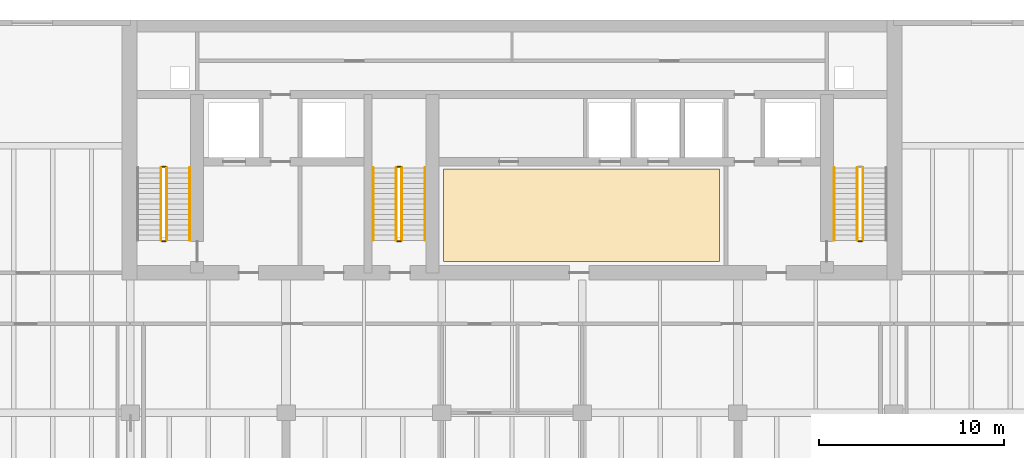
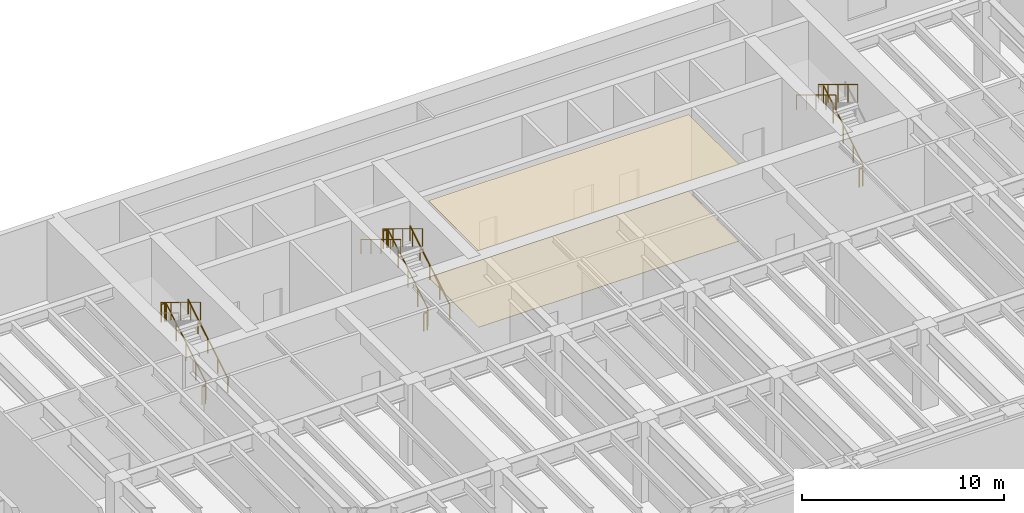
# One storey, part 17 of 18: 15 railings, 2 coverings.
"""IFC4 building model written with IfcOpenShell, lengths in metres."""

import ifcopenshell
import ifcopenshell.guid

model = None  # the IFC model being written
_history = None  # IfcOwnerHistory: only IFC2X3 demands one
_inside = {}  # id of a spatial element -> (the spatial element, [elements in it])
_under = {}  # id of a project, library or spatial element -> (it, [spatial elements below it])
_declared = {}  # id of a project -> (the project, [libraries it declares])
_typed = {}  # id of a type object -> (the type object, [elements of that type])
_made_of = {}  # id of a material, layer set ... -> (it, [elements and type objects made of it])


def new_model(schema):
    """Start an empty IFC model of exactly this schema.

    Asked for "IFC4X3", IfcOpenShell would pick the latest addendum, in which some entities
    have other attributes; the version numbers below select the first issue.
    IFC2X3 requires an IfcOwnerHistory on every rooted entity: one is made here for all.
    """
    global model, _history
    if schema == "IFC4X3":
        model = ifcopenshell.file(schema_version=(4, 3, 0, 0))
    else:
        model = ifcopenshell.file(schema=schema)
    _inside.clear()
    _under.clear()
    _declared.clear()
    _typed.clear()
    _made_of.clear()
    _history = None
    if model.schema == "IFC2X3":
        org = make("IfcOrganization", Name="unknown")
        user = make(
            "IfcPersonAndOrganization",
            ThePerson=make("IfcPerson", FamilyName="unknown"),
            TheOrganization=org,
        )
        app = make(
            "IfcApplication",
            ApplicationDeveloper=org,
            Version="unknown",
            ApplicationFullName="unknown",
            ApplicationIdentifier="unknown",
        )
        _history = make(
            "IfcOwnerHistory",
            OwningUser=user,
            OwningApplication=app,
            ChangeAction="ADDED",
            CreationDate=0,
        )
    return model


def make(cls, **values):
    """One entity of the class cls with the attributes given. An attribute that is None is left unset."""
    return model.create_entity(
        cls, **{name: value for name, value in values.items() if value is not None}
    )


def rooted(cls, **values):
    """An entity with a GlobalId (a new one), such as an element, a storey or a relation."""
    return make(cls, GlobalId=ifcopenshell.guid.new(), OwnerHistory=_history, **values)


def si_unit(unit_type, name, prefix=None):
    """IfcSIUnit, for example si_unit("LENGTHUNIT", "METRE", prefix="MILLI")."""
    return make("IfcSIUnit", UnitType=unit_type, Prefix=prefix, Name=name)


def assignment(units):
    """IfcUnitAssignment: the units of a project."""
    return None if units is None else make("IfcUnitAssignment", Units=units)


def point(xyz):
    """IfcCartesianPoint."""
    return None if xyz is None else make("IfcCartesianPoint", Coordinates=xyz)


def direction(xyz):
    """IfcDirection."""
    return None if xyz is None else make("IfcDirection", DirectionRatios=xyz)


def frame(location, z_axis=None, x_axis=None):
    """IfcAxis2Placement3D, a coordinate frame: its origin and axes. An axis left out is left unset."""
    return make(
        "IfcAxis2Placement3D",
        Location=point(location),
        Axis=direction(z_axis),
        RefDirection=direction(x_axis),
    )


def frame_2d(location, x_axis=None):
    """IfcAxis2Placement2D, a coordinate frame in the plane: its origin and x axis."""
    return make(
        "IfcAxis2Placement2D", Location=point(location), RefDirection=direction(x_axis)
    )


def origin():
    """The frame at (0, 0, 0) with its axes left unset."""
    return frame((0.0, 0.0, 0.0))


def origin_2d():
    """The frame at (0, 0) in the plane with its x axis left unset."""
    return frame_2d((0.0, 0.0))


def place(relative_to, where):
    """IfcLocalPlacement: puts the frame where relative to a parent placement (None: the world)."""
    return make(
        "IfcLocalPlacement", PlacementRelTo=relative_to, RelativePlacement=where
    )


def context(
    kind, dimensions, precision=None, world=None, true_north=None, identifier=None
):
    """IfcGeometricRepresentationContext, for example the 3D "Model" context."""
    return make(
        "IfcGeometricRepresentationContext",
        ContextIdentifier=identifier,
        ContextType=kind,
        CoordinateSpaceDimension=dimensions,
        Precision=precision,
        WorldCoordinateSystem=world,
        TrueNorth=true_north,
    )


def subcontext(parent, identifier, kind, view, scale=None):
    """IfcGeometricRepresentationSubContext, for example "Body" below "Model"."""
    return make(
        "IfcGeometricRepresentationSubContext",
        ContextIdentifier=identifier,
        ContextType=kind,
        ParentContext=parent,
        TargetScale=scale,
        TargetView=view,
    )


def project(units=None, contexts=None):
    """IfcProject with its units and contexts."""
    return rooted(
        "IfcProject",
        Name="project",
        RepresentationContexts=contexts,
        UnitsInContext=assignment(units),
    )


def spatial(cls, under=None, at=None, **own):
    """A site, building, storey or space (cls), placed at a placement, below another one or the project."""
    s = rooted(cls, ObjectPlacement=at, **own)
    if under is not None:
        _under.setdefault(under.id(), (under, []))[1].append(s)
    return s


def polyline(points):
    """IfcPolyline through the points."""
    return make("IfcPolyline", Points=[point(p) for p in points])


def profile(cls, at=None, kind="AREA", **sizes):
    """A parametric profile (cls). Its sizes go by their IFC names, for example OverallWidth=200.0."""
    return make(cls, ProfileType=kind, Position=at, **sizes)


def circle(**sizes):
    """IfcCircleProfileDef."""
    return profile("IfcCircleProfileDef", **sizes)


def outline(outer, holes=None, kind="AREA"):
    """IfcArbitraryClosedProfileDef: a profile drawn as a closed curve; with holes, ...WithVoids."""
    if holes is None:
        return make("IfcArbitraryClosedProfileDef", ProfileType=kind, OuterCurve=outer)
    return make(
        "IfcArbitraryProfileDefWithVoids",
        ProfileType=kind,
        OuterCurve=outer,
        InnerCurves=holes,
    )


def extrude(swept, where, along, depth):
    """IfcExtrudedAreaSolid: the profile swept, set in the frame where, extruded along a direction by depth."""
    return make(
        "IfcExtrudedAreaSolid",
        SweptArea=swept,
        Position=where,
        ExtrudedDirection=direction(along),
        Depth=depth,
    )


def shape(context_of_items, identifier, shape_type, items):
    """IfcShapeRepresentation: the items that make up one representation, for example the "Body"."""
    return make(
        "IfcShapeRepresentation",
        ContextOfItems=context_of_items,
        RepresentationIdentifier=identifier,
        RepresentationType=shape_type,
        Items=items,
    )


def material(Name=None, Category=None):
    """IfcMaterial."""
    return make("IfcMaterial", Name=Name, Category=Category)


def layer(
    of_material, thickness, ventilated=None, Name=None, Category=None, Priority=None
):
    """IfcMaterialLayer: one layer of a wall or slab, of a material (None: an air gap)."""
    return make(
        "IfcMaterialLayer",
        Material=of_material,
        LayerThickness=thickness,
        IsVentilated=ventilated,
        Name=Name,
        Category=Category,
        Priority=Priority,
    )


def layer_set(layers, Name=None):
    """IfcMaterialLayerSet."""
    return make("IfcMaterialLayerSet", MaterialLayers=layers, LayerSetName=Name)


def made_of(thing, what):
    """Note that an element or type object is made of a material, layer set ...; save() writes the relation."""
    if what is not None:
        _made_of.setdefault(what.id(), (what, []))[1].append(thing)
    return thing


def type_object(cls, material=None, **own):
    """A type object (cls), such as IfcWallType, which elements share."""
    return made_of(rooted(cls, **own), material)


def element(
    cls,
    number,
    at=None,
    inside=None,
    cuts=None,
    type_object=None,
    material=None,
    context=None,
    identifier="Body",
    shape_type=None,
    held_by="IfcProductDefinitionShape",
    body=None,
    shapes=None,
    **own,
):
    """One element of the class cls, such as IfcWall. Its Tag is "e" and its number.

    at: its placement. inside: the storey or other place that contains it. cuts: it is an
    opening in that element (IfcRelVoidsElement). A single representation is given by context,
    identifier, shape_type and body (its items); several are given by shapes. held_by: the class
    of the entity that holds the representations. save() writes the other relations.
    """
    e = rooted(cls, Tag="e%d" % number, ObjectPlacement=at, **own)
    if body is not None:
        shapes = [shape(context, identifier, shape_type, body)]
    if shapes is not None:
        e.Representation = make(held_by, Representations=shapes)
    if inside is not None:
        _inside.setdefault(inside.id(), (inside, []))[1].append(e)
    if cuts is not None:
        rooted(
            "IfcRelVoidsElement", RelatingBuildingElement=cuts, RelatedOpeningElement=e
        )
    if type_object is not None:
        _typed.setdefault(type_object.id(), (type_object, []))[1].append(e)
    return made_of(e, material)


def aggregate(whole, parts):
    """IfcRelAggregates: a whole, such as a stair, and the parts it consists of."""
    return rooted("IfcRelAggregates", RelatingObject=whole, RelatedObjects=parts)


def save(model, path):
    """Write the relations noted so far, then the file.

    IfcRelAggregates (storeys below a building ...), IfcRelContainedInSpatialStructure (elements
    in a storey), IfcRelDefinesByType, IfcRelAssociatesMaterial and IfcRelDeclares: one each for
    every whole, place, type object, material and project.
    """
    for whole, parts in _under.values():
        aggregate(whole, parts)
    for where, things in _inside.values():
        rooted(
            "IfcRelContainedInSpatialStructure",
            RelatedElements=things,
            RelatingStructure=where,
        )
    for kind, things in _typed.values():
        rooted("IfcRelDefinesByType", RelatedObjects=things, RelatingType=kind)
    for what, things in _made_of.values():
        rooted("IfcRelAssociatesMaterial", RelatedObjects=things, RelatingMaterial=what)
    for by, libraries in _declared.values():
        rooted("IfcRelDeclares", RelatingContext=by, RelatedDefinitions=libraries)
    model.write(path)


model = new_model("IFC4")

# Units and contexts
model_context = context("Model", 3, precision=1e-05, world=origin(), true_north=direction((0.0, 1.0)))
body_context = subcontext(model_context, "Body", "Model", "MODEL_VIEW")
ifc_project = project(units=[si_unit("LENGTHUNIT", "METRE"), si_unit("AREAUNIT", "SQUARE_METRE"), si_unit("VOLUMEUNIT", "CUBIC_METRE"), si_unit("PLANEANGLEUNIT", "RADIAN"), si_unit("MASSUNIT", "GRAM", prefix="KILO")], contexts=[model_context])

# Site, building, storey
site_placement = place(None, origin())
site = spatial("IfcSite", under=ifc_project, at=site_placement, CompositionType="ELEMENT")
building_placement = place(site_placement, origin())
building = spatial("IfcBuilding", under=site, at=building_placement, Name="Caelmar Bay Residences", CompositionType="ELEMENT")
storey_placement = place(building_placement, frame((0.0, 0.0, 152.10009765625)))
storey = spatial("IfcBuildingStorey", under=building, at=storey_placement, Name="L42", CompositionType="ELEMENT", Elevation=152.10009765625)

# Coverings
ifc_material_1 = material(Name="Perforated acoustic gypsum-mineral ceiling tile 20 mm")
ifc_layer_1 = layer(ifc_material_1, 0.02001953125)
ifc_layer_set_1 = layer_set([ifc_layer_1], Name="Perforated acoustic gypsum-mineral ceiling tile 20 mm")
covering_type_1 = type_object("IfcCoveringType", Name="COV-CEIL-20", PredefinedType="CEILING", material=ifc_layer_set_1)
covering_1_placement = place(storey_placement, frame((0.0, 0.0, 4.6298828125)))
element("IfcCovering", 1, at=covering_1_placement, inside=storey, type_object=covering_type_1, Name="L42 Lift Lobby Acoustic Ceiling", PredefinedType="CEILING", context=body_context, shape_type="SweptSolid", body=[
    extrude(outline(polyline([(35.199951171875, 37.550048828125), (50.10009765625, 37.550048828125), (50.10009765625, 42.550048828125), (35.199951171875, 42.550048828125), (35.199951171875, 37.550048828125)])), origin(), (0.0, 0.0, 1.0), 0.02001953125),
])
ifc_material_2 = material(Name="Honed terrazzo and engineered white-oak flooring 20 mm")
ifc_layer_2 = layer(ifc_material_2, 0.02001953125)
ifc_layer_set_2 = layer_set([ifc_layer_2], Name="Honed terrazzo and engineered white-oak flooring 20 mm")
covering_type_2 = type_object("IfcCoveringType", Name="COV-FLR-20", PredefinedType="FLOORING", material=ifc_layer_set_2)
covering_2_placement = place(storey_placement, origin())
element("IfcCovering", 2, at=covering_2_placement, inside=storey, type_object=covering_type_2, Name="L42 Lift Lobby Terrazzo Flooring", PredefinedType="FLOORING", context=body_context, shape_type="SweptSolid", body=[
    extrude(outline(polyline([(35.199951171875, 37.550048828125), (50.10009765625, 37.550048828125), (50.10009765625, 42.550048828125), (35.199951171875, 42.550048828125), (35.199951171875, 37.550048828125)])), origin(), (0.0, 0.0, 1.0), 0.02001953125),
])

# Railings
ifc_material_3 = material(Name="Painted galvanized steel stair guard 1100 mm", Category="steel")
railing_type_1 = type_object("IfcRailingType", Name="RL-GRD-1100", PredefinedType="GUARDRAIL", material=ifc_material_3)
railing_1_placement = place(storey_placement, frame((20.25, 38.699951171875, 0.169921875)))
element("IfcRailing", 3, at=railing_1_placement, inside=storey, type_object=railing_type_1, Name="L42 ST1 stair guard 1", PredefinedType="GUARDRAIL", context=body_context, shape_type="SweptSolid", body=[
    extrude(circle(Radius=0.02392578125, at=origin_2d()), frame((0.0, 0.0, 1.076171875), z_axis=(0.0, 0.854808600491, 0.518943403973), x_axis=(-1.0, 0.0, 0.0)), (0.0, 0.0, 1.0), 4.5859375),
    extrude(circle(Radius=0.02099609375, at=origin_2d()), origin(), (0.0, 0.0, 1.0), 1.052001953125),
    extrude(circle(Radius=0.02099609375, at=origin_2d()), frame((0.0, 0.97998046875, 0.594970703125)), (0.0, 0.0, 1.0), 1.052001953125),
    extrude(circle(Radius=0.02099609375, at=origin_2d()), frame((0.0, 1.9599609375, 1.18994140625)), (0.0, 0.0, 1.0), 1.052001953125),
    extrude(circle(Radius=0.02099609375, at=origin_2d()), frame((0.0, 2.940185546875, 1.784912109375)), (0.0, 0.0, 1.0), 1.052001953125),
    extrude(circle(Radius=0.02099609375, at=origin_2d()), frame((0.0, 3.920166015625, 2.3798828125)), (0.0, 0.0, 1.0), 1.052001953125),
])
railing_2_placement = place(storey_placement, frame((20.199951171875, 42.669921875, 2.5498046875)))
element("IfcRailing", 4, at=railing_2_placement, inside=storey, type_object=railing_type_1, Name="L42 ST1 stair guard 2", PredefinedType="GUARDRAIL", context=body_context, shape_type="SweptSolid", body=[
    extrude(circle(Radius=0.02392578125, at=origin_2d()), frame((0.0, 0.0, 1.076171875), z_axis=(-1.0, 0.0, 0.0), x_axis=(0.0, -1.0, 0.0)), (0.0, 0.0, 1.0), 0.199951171875),
    extrude(circle(Radius=0.02099609375, at=origin_2d()), origin(), (0.0, 0.0, 1.0), 1.052001953125),
    extrude(circle(Radius=0.02099609375, at=origin_2d()), frame((-0.199951171875, 0.0, 0.0)), (0.0, 0.0, 1.0), 1.052001953125),
])
railing_3_placement = place(storey_placement, frame((19.949951171875, 42.6201171875, 2.719970703125)))
element("IfcRailing", 5, at=railing_3_placement, inside=storey, type_object=railing_type_1, Name="L42 ST1 stair guard 3", PredefinedType="GUARDRAIL", context=body_context, shape_type="SweptSolid", body=[
    extrude(circle(Radius=0.02392578125, at=origin_2d()), frame((0.0, 0.0, 1.076171875), z_axis=(0.0, -0.854808600491, 0.518943403973), x_axis=(1.0, 0.0, 0.0)), (0.0, 0.0, 1.0), 4.5859375),
    extrude(circle(Radius=0.02099609375, at=origin_2d()), origin(), (0.0, 0.0, 1.0), 1.052001953125),
    extrude(circle(Radius=0.02099609375, at=origin_2d()), frame((0.0, -0.97998046875, 0.594970703125)), (0.0, 0.0, 1.0), 1.052001953125),
    extrude(circle(Radius=0.02099609375, at=origin_2d()), frame((0.0, -1.9599609375, 1.18994140625)), (0.0, 0.0, 1.0), 1.052001953125),
    extrude(circle(Radius=0.02099609375, at=origin_2d()), frame((0.0, -2.940185546875, 1.784912109375)), (0.0, 0.0, 1.0), 1.052001953125),
    extrude(circle(Radius=0.02099609375, at=origin_2d()), frame((0.0, -3.920166015625, 2.3798828125)), (0.0, 0.0, 1.0), 1.052001953125),
])
railing_4_placement = place(storey_placement, frame((20.199951171875, 38.64990234375, 0.0)))
element("IfcRailing", 6, at=railing_4_placement, inside=storey, type_object=railing_type_1, Name="L42 ST1 stair guard 4", PredefinedType="GUARDRAIL", context=body_context, shape_type="SweptSolid", body=[
    extrude(circle(Radius=0.02392578125, at=origin_2d()), frame((0.0, 0.0, 1.076171875), z_axis=(-1.0, 0.0, 0.0), x_axis=(0.0, -1.0, 0.0)), (0.0, 0.0, 1.0), 0.199951171875),
    extrude(circle(Radius=0.02099609375, at=origin_2d()), origin(), (0.0, 0.0, 1.0), 1.052001953125),
    extrude(circle(Radius=0.02099609375, at=origin_2d()), frame((-0.199951171875, 0.0, 0.0)), (0.0, 0.0, 1.0), 1.052001953125),
])
railing_5_placement = place(storey_placement, frame((57.85009765625, 38.699951171875, 0.169921875)))
element("IfcRailing", 7, at=railing_5_placement, inside=storey, type_object=railing_type_1, Name="L42 ST2 stair guard 1", PredefinedType="GUARDRAIL", context=body_context, shape_type="SweptSolid", body=[
    extrude(circle(Radius=0.02392578125, at=origin_2d()), frame((0.0, 0.0, 1.076171875), z_axis=(0.0, 0.854808600491, 0.518943403973), x_axis=(-1.0, 0.0, 0.0)), (0.0, 0.0, 1.0), 4.5859375),
    extrude(circle(Radius=0.02099609375, at=origin_2d()), origin(), (0.0, 0.0, 1.0), 1.052001953125),
    extrude(circle(Radius=0.02099609375, at=origin_2d()), frame((0.0, 0.97998046875, 0.594970703125)), (0.0, 0.0, 1.0), 1.052001953125),
    extrude(circle(Radius=0.02099609375, at=origin_2d()), frame((0.0, 1.9599609375, 1.18994140625)), (0.0, 0.0, 1.0), 1.052001953125),
    extrude(circle(Radius=0.02099609375, at=origin_2d()), frame((0.0, 2.940185546875, 1.784912109375)), (0.0, 0.0, 1.0), 1.052001953125),
    extrude(circle(Radius=0.02099609375, at=origin_2d()), frame((0.0, 3.920166015625, 2.3798828125)), (0.0, 0.0, 1.0), 1.052001953125),
])
railing_6_placement = place(storey_placement, frame((57.550048828125, 42.6201171875, 2.719970703125)))
element("IfcRailing", 8, at=railing_6_placement, inside=storey, type_object=railing_type_1, Name="L42 ST2 stair guard 3", PredefinedType="GUARDRAIL", context=body_context, shape_type="SweptSolid", body=[
    extrude(circle(Radius=0.02392578125, at=origin_2d()), frame((0.0, 0.0, 1.076171875), z_axis=(0.0, -0.854808600491, 0.518943403973), x_axis=(1.0, 0.0, 0.0)), (0.0, 0.0, 1.0), 4.5859375),
    extrude(circle(Radius=0.02099609375, at=origin_2d()), origin(), (0.0, 0.0, 1.0), 1.052001953125),
    extrude(circle(Radius=0.02099609375, at=origin_2d()), frame((0.0, -0.97998046875, 0.594970703125)), (0.0, 0.0, 1.0), 1.052001953125),
    extrude(circle(Radius=0.02099609375, at=origin_2d()), frame((0.0, -1.9599609375, 1.18994140625)), (0.0, 0.0, 1.0), 1.052001953125),
    extrude(circle(Radius=0.02099609375, at=origin_2d()), frame((0.0, -2.940185546875, 1.784912109375)), (0.0, 0.0, 1.0), 1.052001953125),
    extrude(circle(Radius=0.02099609375, at=origin_2d()), frame((0.0, -3.920166015625, 2.3798828125)), (0.0, 0.0, 1.0), 1.052001953125),
])
railing_7_placement = place(storey_placement, frame((57.800048828125, 38.64990234375, 0.0)))
element("IfcRailing", 9, at=railing_7_placement, inside=storey, type_object=railing_type_1, Name="L42 ST2 stair guard 4", PredefinedType="GUARDRAIL", context=body_context, shape_type="SweptSolid", body=[
    extrude(circle(Radius=0.02392578125, at=origin_2d()), frame((0.0, 0.0, 1.076171875), z_axis=(-1.0, 0.0, 0.0), x_axis=(0.0, -1.0, 0.0)), (0.0, 0.0, 1.0), 0.199951171875),
    extrude(circle(Radius=0.02099609375, at=origin_2d()), origin(), (0.0, 0.0, 1.0), 1.052001953125),
    extrude(circle(Radius=0.02099609375, at=origin_2d()), frame((-0.199951171875, 0.0, 0.0)), (0.0, 0.0, 1.0), 1.052001953125),
])
railing_8_placement = place(storey_placement, frame((32.949951171875, 38.699951171875, 0.169921875)))
element("IfcRailing", 10, at=railing_8_placement, inside=storey, type_object=railing_type_1, Name="L42 ST3 stair guard 1", PredefinedType="GUARDRAIL", context=body_context, shape_type="SweptSolid", body=[
    extrude(circle(Radius=0.02392578125, at=origin_2d()), frame((0.0, 0.0, 1.076171875), z_axis=(0.0, 0.854808600491, 0.518943403973), x_axis=(-1.0, 0.0, 0.0)), (0.0, 0.0, 1.0), 4.5859375),
    extrude(circle(Radius=0.02099609375, at=origin_2d()), origin(), (0.0, 0.0, 1.0), 1.052001953125),
    extrude(circle(Radius=0.02099609375, at=origin_2d()), frame((0.0, 0.97998046875, 0.594970703125)), (0.0, 0.0, 1.0), 1.052001953125),
    extrude(circle(Radius=0.02099609375, at=origin_2d()), frame((0.0, 1.9599609375, 1.18994140625)), (0.0, 0.0, 1.0), 1.052001953125),
    extrude(circle(Radius=0.02099609375, at=origin_2d()), frame((0.0, 2.940185546875, 1.784912109375)), (0.0, 0.0, 1.0), 1.052001953125),
    extrude(circle(Radius=0.02099609375, at=origin_2d()), frame((0.0, 3.920166015625, 2.3798828125)), (0.0, 0.0, 1.0), 1.052001953125),
])
railing_9_placement = place(storey_placement, frame((32.89990234375, 42.669921875, 2.5498046875)))
element("IfcRailing", 11, at=railing_9_placement, inside=storey, type_object=railing_type_1, Name="L42 ST3 stair guard 2", PredefinedType="GUARDRAIL", context=body_context, shape_type="SweptSolid", body=[
    extrude(circle(Radius=0.02392578125, at=origin_2d()), frame((0.0, 0.0, 1.076171875), z_axis=(-1.0, 0.0, 0.0), x_axis=(0.0, -1.0, 0.0)), (0.0, 0.0, 1.0), 0.199951171875),
    extrude(circle(Radius=0.02099609375, at=origin_2d()), origin(), (0.0, 0.0, 1.0), 1.052001953125),
    extrude(circle(Radius=0.02099609375, at=origin_2d()), frame((-0.199951171875, 0.0, 0.0)), (0.0, 0.0, 1.0), 1.052001953125),
])
railing_10_placement = place(storey_placement, frame((32.64990234375, 42.6201171875, 2.719970703125)))
element("IfcRailing", 12, at=railing_10_placement, inside=storey, type_object=railing_type_1, Name="L42 ST3 stair guard 3", PredefinedType="GUARDRAIL", context=body_context, shape_type="SweptSolid", body=[
    extrude(circle(Radius=0.02392578125, at=origin_2d()), frame((0.0, 0.0, 1.076171875), z_axis=(0.0, -0.854808600491, 0.518943403973), x_axis=(1.0, 0.0, 0.0)), (0.0, 0.0, 1.0), 4.5859375),
    extrude(circle(Radius=0.02099609375, at=origin_2d()), origin(), (0.0, 0.0, 1.0), 1.052001953125),
    extrude(circle(Radius=0.02099609375, at=origin_2d()), frame((0.0, -0.97998046875, 0.594970703125)), (0.0, 0.0, 1.0), 1.052001953125),
    extrude(circle(Radius=0.02099609375, at=origin_2d()), frame((0.0, -1.9599609375, 1.18994140625)), (0.0, 0.0, 1.0), 1.052001953125),
    extrude(circle(Radius=0.02099609375, at=origin_2d()), frame((0.0, -2.940185546875, 1.784912109375)), (0.0, 0.0, 1.0), 1.052001953125),
    extrude(circle(Radius=0.02099609375, at=origin_2d()), frame((0.0, -3.920166015625, 2.3798828125)), (0.0, 0.0, 1.0), 1.052001953125),
])
railing_11_placement = place(storey_placement, frame((32.89990234375, 38.64990234375, 0.0)))
element("IfcRailing", 13, at=railing_11_placement, inside=storey, type_object=railing_type_1, Name="L42 ST3 stair guard 4", PredefinedType="GUARDRAIL", context=body_context, shape_type="SweptSolid", body=[
    extrude(circle(Radius=0.02392578125, at=origin_2d()), frame((0.0, 0.0, 1.076171875), z_axis=(-1.0, 0.0, 0.0), x_axis=(0.0, -1.0, 0.0)), (0.0, 0.0, 1.0), 0.199951171875),
    extrude(circle(Radius=0.02099609375, at=origin_2d()), origin(), (0.0, 0.0, 1.0), 1.052001953125),
    extrude(circle(Radius=0.02099609375, at=origin_2d()), frame((-0.199951171875, 0.0, 0.0)), (0.0, 0.0, 1.0), 1.052001953125),
])
ifc_material_4 = material(Name="Brushed bronze stainless-steel tubular handrail 900 mm", Category="steel")
railing_type_2 = type_object("IfcRailingType", Name="RL-HND-900", PredefinedType="HANDRAIL", material=ifc_material_4)
railing_12_placement = place(storey_placement, frame((21.5, 38.699951171875, 0.169921875)))
element("IfcRailing", 14, at=railing_12_placement, inside=storey, type_object=railing_type_2, Name="L42 ST1 stair handrail 1", PredefinedType="HANDRAIL", context=body_context, shape_type="SweptSolid", body=[
    extrude(circle(Radius=0.02392578125, at=origin_2d()), frame((0.0, 0.0, 0.8759765625), z_axis=(0.0, 0.854808600491, 0.518943403973), x_axis=(-1.0, 0.0, 0.0)), (0.0, 0.0, 1.0), 4.5859375),
    extrude(circle(Radius=0.02099609375, at=origin_2d()), origin(), (0.0, 0.0, 1.0), 0.851806640625),
    extrude(circle(Radius=0.02099609375, at=origin_2d()), frame((0.0, 0.97998046875, 0.594970703125)), (0.0, 0.0, 1.0), 0.851806640625),
    extrude(circle(Radius=0.02099609375, at=origin_2d()), frame((0.0, 1.9599609375, 1.18994140625)), (0.0, 0.0, 1.0), 0.851806640625),
    extrude(circle(Radius=0.02099609375, at=origin_2d()), frame((0.0, 2.940185546875, 1.784912109375)), (0.0, 0.0, 1.0), 0.851806640625),
    extrude(circle(Radius=0.02099609375, at=origin_2d()), frame((0.0, 3.920166015625, 2.3798828125)), (0.0, 0.0, 1.0), 0.851806640625),
])
railing_13_placement = place(storey_placement, frame((56.300048828125, 42.6201171875, 2.719970703125)))
element("IfcRailing", 15, at=railing_13_placement, inside=storey, type_object=railing_type_2, Name="L42 ST2 stair handrail 2", PredefinedType="HANDRAIL", context=body_context, shape_type="SweptSolid", body=[
    extrude(circle(Radius=0.02392578125, at=origin_2d()), frame((0.0, 0.0, 0.8759765625), z_axis=(0.0, -0.854808600491, 0.518943403973), x_axis=(1.0, 0.0, 0.0)), (0.0, 0.0, 1.0), 4.5859375),
    extrude(circle(Radius=0.02099609375, at=origin_2d()), origin(), (0.0, 0.0, 1.0), 0.851806640625),
    extrude(circle(Radius=0.02099609375, at=origin_2d()), frame((0.0, -0.97998046875, 0.594970703125)), (0.0, 0.0, 1.0), 0.851806640625),
    extrude(circle(Radius=0.02099609375, at=origin_2d()), frame((0.0, -1.9599609375, 1.18994140625)), (0.0, 0.0, 1.0), 0.851806640625),
    extrude(circle(Radius=0.02099609375, at=origin_2d()), frame((0.0, -2.940185546875, 1.784912109375)), (0.0, 0.0, 1.0), 0.851806640625),
    extrude(circle(Radius=0.02099609375, at=origin_2d()), frame((0.0, -3.920166015625, 2.3798828125)), (0.0, 0.0, 1.0), 0.851806640625),
])
railing_14_placement = place(storey_placement, frame((34.199951171875, 38.699951171875, 0.169921875)))
element("IfcRailing", 16, at=railing_14_placement, inside=storey, type_object=railing_type_2, Name="L42 ST3 stair handrail 1", PredefinedType="HANDRAIL", context=body_context, shape_type="SweptSolid", body=[
    extrude(circle(Radius=0.02392578125, at=origin_2d()), frame((0.0, 0.0, 0.8759765625), z_axis=(0.0, 0.854808600491, 0.518943403973), x_axis=(-1.0, 0.0, 0.0)), (0.0, 0.0, 1.0), 4.5859375),
    extrude(circle(Radius=0.02099609375, at=origin_2d()), origin(), (0.0, 0.0, 1.0), 0.851806640625),
    extrude(circle(Radius=0.02099609375, at=origin_2d()), frame((0.0, 0.97998046875, 0.594970703125)), (0.0, 0.0, 1.0), 0.851806640625),
    extrude(circle(Radius=0.02099609375, at=origin_2d()), frame((0.0, 1.9599609375, 1.18994140625)), (0.0, 0.0, 1.0), 0.851806640625),
    extrude(circle(Radius=0.02099609375, at=origin_2d()), frame((0.0, 2.940185546875, 1.784912109375)), (0.0, 0.0, 1.0), 0.851806640625),
    extrude(circle(Radius=0.02099609375, at=origin_2d()), frame((0.0, 3.920166015625, 2.3798828125)), (0.0, 0.0, 1.0), 0.851806640625),
])
railing_15_placement = place(storey_placement, frame((31.39990234375, 42.6201171875, 2.719970703125)))
element("IfcRailing", 17, at=railing_15_placement, inside=storey, type_object=railing_type_2, Name="L42 ST3 stair handrail 2", PredefinedType="HANDRAIL", context=body_context, shape_type="SweptSolid", body=[
    extrude(circle(Radius=0.02392578125, at=origin_2d()), frame((0.0, 0.0, 0.8759765625), z_axis=(0.0, -0.854808600491, 0.518943403973), x_axis=(1.0, 0.0, 0.0)), (0.0, 0.0, 1.0), 4.5859375),
    extrude(circle(Radius=0.02099609375, at=origin_2d()), origin(), (0.0, 0.0, 1.0), 0.851806640625),
    extrude(circle(Radius=0.02099609375, at=origin_2d()), frame((0.0, -0.97998046875, 0.594970703125)), (0.0, 0.0, 1.0), 0.851806640625),
    extrude(circle(Radius=0.02099609375, at=origin_2d()), frame((0.0, -1.9599609375, 1.18994140625)), (0.0, 0.0, 1.0), 0.851806640625),
    extrude(circle(Radius=0.02099609375, at=origin_2d()), frame((0.0, -2.940185546875, 1.784912109375)), (0.0, 0.0, 1.0), 0.851806640625),
    extrude(circle(Radius=0.02099609375, at=origin_2d()), frame((0.0, -3.920166015625, 2.3798828125)), (0.0, 0.0, 1.0), 0.851806640625),
])

save(model, "model.ifc")
